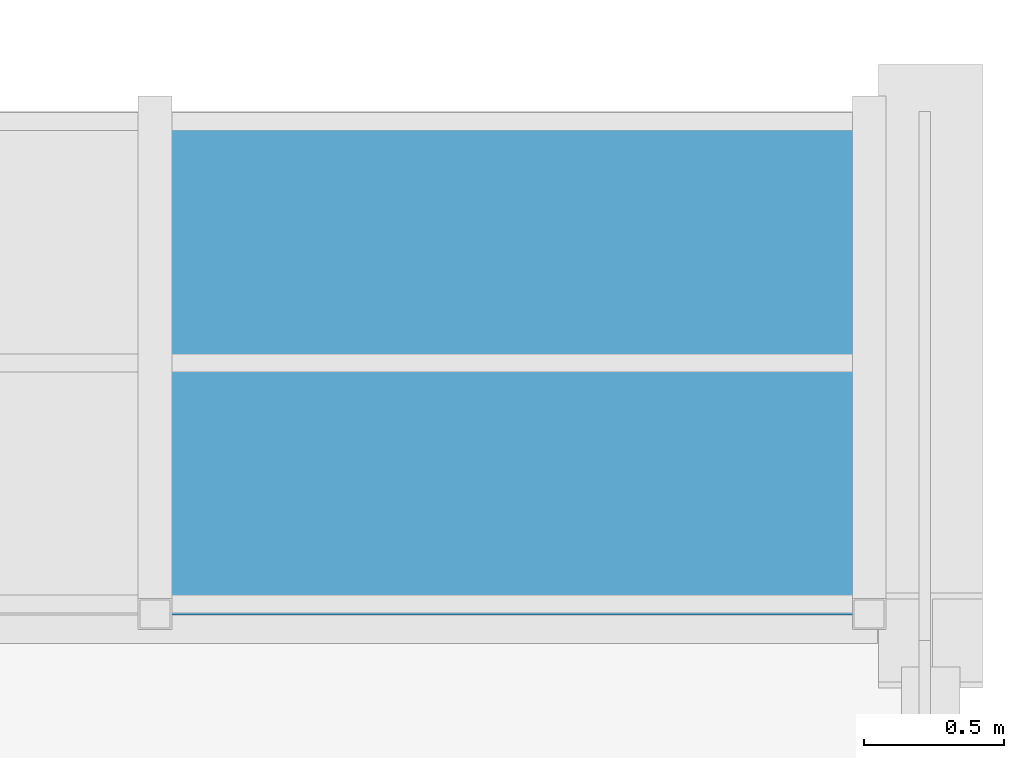
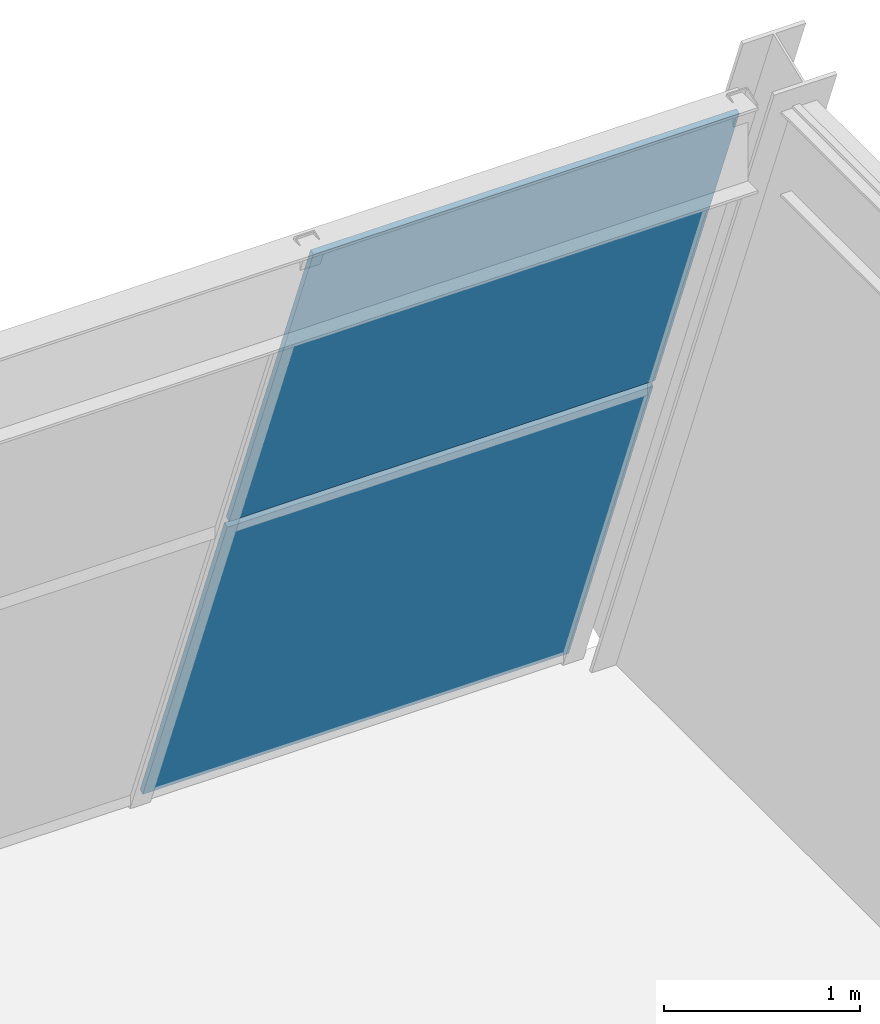
# One storey, part 142 of 161: 2 plates, 1 element without a shape of its own.
"""IFC4 building model written with IfcOpenShell, lengths in metres."""

from ifc_helpers import new_model, si_unit, direction, frame, origin, place, context, subcontext, project, spatial, polyline, outline, extrude, material, layer, layer_set, type_object, element, aggregate, save


model = new_model("IFC4")

# Units and contexts
model_context = context("Model", 3, precision=1e-05, world=origin(), true_north=direction((0.0, 1.0)))
body_context = subcontext(model_context, "Body", "Model", "MODEL_VIEW")
ifc_project = project(units=[si_unit("LENGTHUNIT", "METRE"), si_unit("AREAUNIT", "SQUARE_METRE"), si_unit("VOLUMEUNIT", "CUBIC_METRE"), si_unit("PLANEANGLEUNIT", "RADIAN"), si_unit("MASSUNIT", "GRAM", prefix="KILO")], contexts=[model_context])

# Site, building, storey
site_placement = place(None, origin())
site = spatial("IfcSite", under=ifc_project, at=site_placement, CompositionType="ELEMENT")
building_placement = place(site_placement, origin())
building = spatial("IfcBuilding", under=site, at=building_placement, Name="Cimatlan Art Gallery", CompositionType="ELEMENT")
storey_placement = place(building_placement, frame((0.0, 0.0, 5.39990234375)))
storey = spatial("IfcBuildingStorey", under=building, at=storey_placement, Name="L01", CompositionType="ELEMENT", Elevation=5.39990234375)

# Curtain wall, plates
ifc_material_1 = material(Name="Raked steel-and-bronze lancet curtain wall", Category="steel")
curtain_wall_type = type_object("IfcCurtainWallType", Name="CW-RAK-07660X04901-B3", PredefinedType="NOTDEFINED", material=ifc_material_1)
curtain_wall_placement = place(storey_placement, origin())
curtain_wall = element("IfcCurtainWall", 1, at=curtain_wall_placement, inside=storey, type_object=curtain_wall_type, Name="CW-PROW-L01-B5-19", PredefinedType="NOTDEFINED")
ifc_material_2 = material(Name="Low-E laminated skylight safety glazing", Category="glass")
ifc_layer = layer(ifc_material_2, 0.031982421875)
ifc_layer_set = layer_set([ifc_layer], Name="Low-E laminated skylight safety glazing")
plate_type = type_object("IfcPlateType", Name="PNL-RAK-2513X2352", PredefinedType="CURTAIN_PANEL", material=ifc_layer_set)
plate_1_placement = place(storey_placement, frame((161.246826171875, 80.946044921875, 0.068603515625), z_axis=(0.0, 0.930396595291, 0.366554464536), x_axis=(1.0, 0.0, 0.0)))
plate_1 = element("IfcPlate", 2, at=plate_1_placement, type_object=plate_type, Name="CW-PROW-L01-B5-19-P31", PredefinedType="CURTAIN_PANEL", context=body_context, shape_type="SweptSolid", body=[
    extrude(outline(polyline([(0.0, 0.0), (2.512939453125, 0.0), (2.512939453125, -2.352459923223447), (0.0, -2.352459923223447), (0.0, 0.0)])), origin(), (0.0, 0.0, -1.0), 0.031982421875),
])
plate_2_placement = place(storey_placement, frame((161.246826171875, 80.06591796875, 2.302978515625), z_axis=(0.0, 0.930396595291, 0.366554464536), x_axis=(1.0, 0.0, 0.0)))
plate_2 = element("IfcPlate", 3, at=plate_2_placement, type_object=plate_type, Name="CW-PROW-L01-B5-19-P32", PredefinedType="CURTAIN_PANEL", context=body_context, shape_type="SweptSolid", body=[
    extrude(outline(polyline([(0.0, 0.0), (2.512939453125, 0.0), (2.512939453125, -2.352459923223447), (0.0, -2.352459923223447), (0.0, 0.0)])), origin(), (0.0, 0.0, -1.0), 0.031982421875),
])
aggregate(curtain_wall, [plate_1, plate_2])

save(model, "model.ifc")
